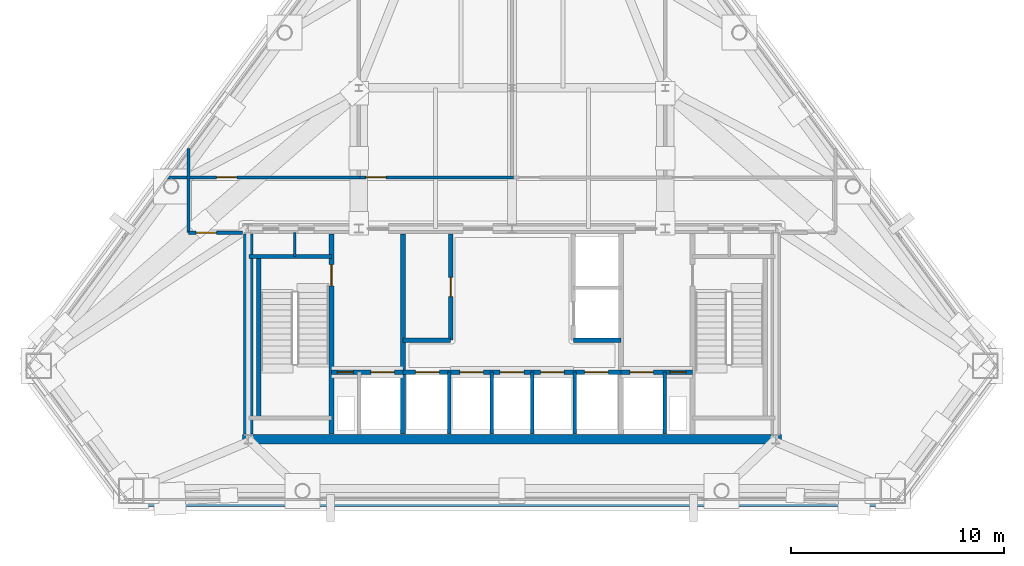
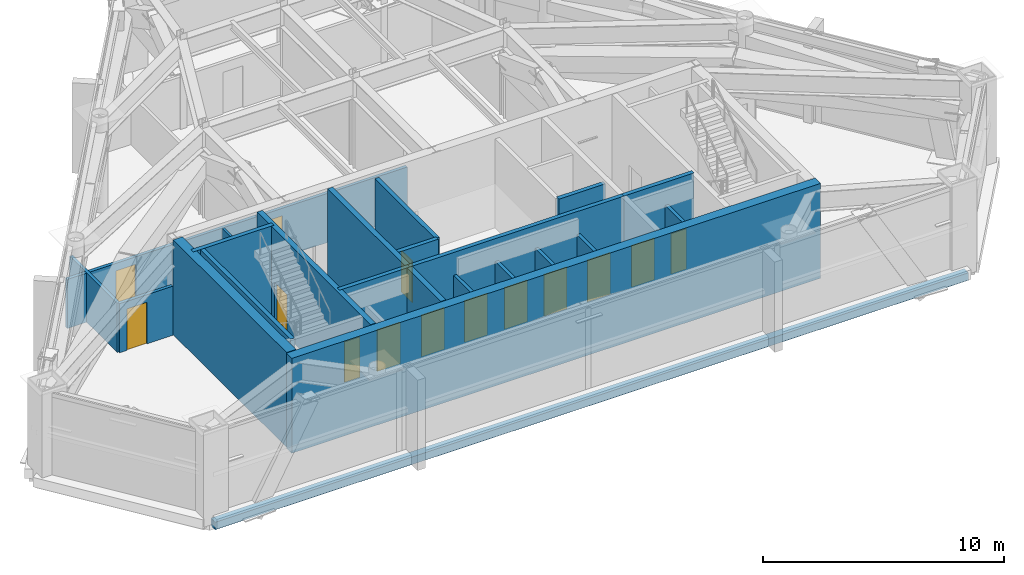
# One storey, part 6 of 10: 23 walls, 14 doors, 14 openings.
"""IFC4 building model written with IfcOpenShell, lengths in metres."""

from ifc_helpers import new_model, si_unit, direction, frame, frame_2d, origin, place, context, subcontext, project, spatial, rectangle, extrude, material, layer, layer_set, type_object, element, fill, save


model = new_model("IFC4")

# Units and contexts
model_context = context("Model", 3, precision=1e-05, world=origin(), true_north=direction((0.0, 1.0)))
body_context = subcontext(model_context, "Body", "Model", "MODEL_VIEW")
ifc_project = project(units=[si_unit("LENGTHUNIT", "METRE"), si_unit("AREAUNIT", "SQUARE_METRE"), si_unit("VOLUMEUNIT", "CUBIC_METRE"), si_unit("PLANEANGLEUNIT", "RADIAN"), si_unit("MASSUNIT", "GRAM", prefix="KILO")], contexts=[model_context])

# Site, building, storey
site_placement = place(None, origin())
site = spatial("IfcSite", under=ifc_project, at=site_placement, CompositionType="ELEMENT")
building_placement = place(site_placement, origin())
building = spatial("IfcBuilding", under=site, at=building_placement, Name="Talgorran Terracotta Tower", CompositionType="ELEMENT")
storey_placement = place(building_placement, frame((0.0, 0.0, 168.89990234375)))
storey = spatial("IfcBuildingStorey", under=building, at=storey_placement, Name="L44", CompositionType="ELEMENT", Elevation=168.89990234375)

# Walls
ifc_material_1 = material(Name="Concrete C50/60", Category="concrete")
ifc_layer_1 = layer(ifc_material_1, 0.199951171875, Name="WT_CORE_200")
ifc_layer_set_1 = layer_set([ifc_layer_1], Name="Concrete C50/60")
wall_type_1 = type_object("IfcWallType", Name="WT_CORE_200", PredefinedType="SOLIDWALL", material=ifc_layer_set_1)
wall_1_placement = place(storey_placement, frame((-12.35009765625, -5.52001953125, 0.0), z_axis=(0.0, 0.0, 1.0), x_axis=(1.0, 0.0, 0.0)))
element("IfcWall", 1, at=wall_1_placement, inside=storey, type_object=wall_type_1, Name="WL-L44-CW-ST1-N", PredefinedType="SOLIDWALL", context=body_context, shape_type="SweptSolid", body=[
    extrude(rectangle(XDim=3.8701171875, YDim=0.199951171875, at=frame_2d((1.93505859375, 0.0))), origin(), (0.0, 0.0, 1.0), 4.800048828125),
])
wall_2_placement = place(storey_placement, frame((-11.89990234375, -13.10009765625, 0.0), z_axis=(0.0, 0.0, 1.0), x_axis=(0.0, 1.0, 0.0)))
element("IfcWall", 2, at=wall_2_placement, inside=storey, type_object=wall_type_1, Name="WL-L44-CW-ST1-W", PredefinedType="SOLIDWALL", context=body_context, shape_type="SweptSolid", body=[
    extrude(rectangle(XDim=7.580078125, YDim=0.199951171875, at=frame_2d((3.7900390625, 0.0))), origin(), (0.0, 0.0, 1.0), 4.800048828125),
])

# Wall, openings, doors
wall_3_placement = place(storey_placement, frame((-8.47998046875, -10.949951171875, 0.0), z_axis=(0.0, 0.0, 1.0), x_axis=(1.0, 0.0, 0.0)))
wall_3 = element("IfcWall", 3, at=wall_3_placement, inside=storey, type_object=wall_type_1, Name="WL-L44-CW-H-SBW", PredefinedType="SOLIDWALL", context=body_context, shape_type="SweptSolid", body=[
    extrude(rectangle(XDim=3.35986328125, YDim=0.199951171875, at=frame_2d((1.679931640625, 0.0))), origin(), (0.0, 0.0, 1.0), 4.800048828125),
])
opening_1_placement = place(wall_3_placement, frame((0.280029296875, 0.0, 0.0)))
opening_1 = element("IfcOpeningElement", 4, at=opening_1_placement, cuts=wall_3, Name="Opening DR-RSW", PredefinedType="OPENING", context=body_context, shape_type="SweptSolid", body=[
    extrude(rectangle(XDim=0.756, YDim=2.054048828125, at=frame_2d((0.375, 1.027099609375))), frame((0.0, 0.10986328125, 0.0), z_axis=(0.0, -1.0, 0.0), x_axis=(1.0, 0.0, 0.0)), (0.0, 0.0, 1.0), 0.219970703125),
])
opening_2_placement = place(wall_3_placement, frame((1.85009765625, 0.0, 0.0)))
opening_2 = element("IfcOpeningElement", 5, at=opening_2_placement, cuts=wall_3, Name="Opening LD-FFL1", PredefinedType="OPENING", context=body_context, shape_type="SweptSolid", body=[
    extrude(rectangle(XDim=1.10609765625, YDim=2.10409765625, at=frame_2d((0.550048828125, 1.052001953125))), frame((0.0, 0.10986328125, 0.0), z_axis=(0.0, -1.0, 0.0), x_axis=(1.0, 0.0, 0.0)), (0.0, 0.0, 1.0), 0.219970703125),
])
ifc_material_2 = material(Name="Brushed Stainless Steel Grade 304", Category="steel")
door_type_1 = type_object("IfcDoorType", Name="DT_LIFT_LD1100", OperationType="DOUBLE_DOOR_SLIDING", PredefinedType="DOOR", material=ifc_material_2)
door_1_placement = place(opening_2_placement, origin())
door_1 = element("IfcDoor", 6, at=door_1_placement, inside=storey, type_object=door_type_1, Name="L44 Lift Landing Door LD-FFL1", OperationType="DOUBLE_DOOR_SLIDING", OverallHeight=2.10009765625, OverallWidth=1.10009765625, PredefinedType="DOOR", context=body_context, shape_type="SweptSolid", body=[
    extrude(rectangle(XDim=1.10009765625, YDim=2.10009765625, at=frame_2d((0.550048828125, 1.050048828125))), frame((0.0, 0.02490234375, 0.0), z_axis=(0.0, -1.0, 0.0), x_axis=(1.0, 0.0, 0.0)), (0.0, 0.0, 1.0), 0.050048828125),
])
fill(opening_2, door_1)
ifc_material_3 = material(Name="Fire-Rated Pressed Steel", Category="steel")
door_type_2 = type_object("IfcDoorType", Name="DT_RISER_750", OperationType="NOTDEFINED", PredefinedType="DOOR", material=ifc_material_3)
door_2_placement = place(opening_1_placement, origin())
door_2 = element("IfcDoor", 7, at=door_2_placement, inside=storey, type_object=door_type_2, Name="DR-RSW", OperationType="SINGLE_SWING_LEFT", OverallHeight=2.050048828125, OverallWidth=0.75, PredefinedType="DOOR", context=body_context, shape_type="SweptSolid", body=[
    extrude(rectangle(XDim=0.75, YDim=2.050048828125, at=frame_2d((0.375, 1.02490234375))), frame((0.0, 0.02490234375, 0.0), z_axis=(0.0, -1.0, 0.0), x_axis=(1.0, 0.0, 0.0)), (0.0, 0.0, 1.0), 0.050048828125),
])
fill(opening_1, door_2)

wall_4_placement = place(storey_placement, frame((-5.1201171875, -10.949951171875, 0.0), z_axis=(0.0, 0.0, 1.0), x_axis=(1.0, 0.0, 0.0)))
wall_4 = element("IfcWall", 8, at=wall_4_placement, inside=storey, type_object=wall_type_1, Name="WL-L44-CW-H-SBC", PredefinedType="SOLIDWALL", context=body_context, shape_type="SweptSolid", body=[
    extrude(rectangle(XDim=10.240234375, YDim=0.199951171875, at=frame_2d((5.1201171875, 0.0))), origin(), (0.0, 0.0, 1.0), 4.800048828125),
])
opening_3_placement = place(wall_4_placement, frame((0.60009765625, 0.0, 0.0)))
opening_3 = element("IfcOpeningElement", 9, at=opening_3_placement, cuts=wall_4, Name="Opening LD-OB1", PredefinedType="OPENING", context=body_context, shape_type="SweptSolid", body=[
    extrude(rectangle(XDim=1.10609765625, YDim=2.10409765625, at=frame_2d((0.550048828125, 1.052001953125))), frame((0.0, 0.10986328125, 0.0), z_axis=(0.0, -1.0, 0.0), x_axis=(1.0, 0.0, 0.0)), (0.0, 0.0, 1.0), 0.219970703125),
])
opening_4_placement = place(wall_4_placement, frame((2.669921875, 0.0, 0.0)))
opening_4 = element("IfcOpeningElement", 10, at=opening_4_placement, cuts=wall_4, Name="Opening LD-PLH1", PredefinedType="OPENING", context=body_context, shape_type="SweptSolid", body=[
    extrude(rectangle(XDim=1.10609765625, YDim=2.10409765625, at=frame_2d((0.550048828125, 1.052001953125))), frame((0.0, 0.10986328125, 0.0), z_axis=(0.0, -1.0, 0.0), x_axis=(1.0, 0.0, 0.0)), (0.0, 0.0, 1.0), 0.219970703125),
])
opening_5_placement = place(wall_4_placement, frame((4.570068359375, 0.0, 0.0)))
opening_5 = element("IfcOpeningElement", 11, at=opening_5_placement, cuts=wall_4, Name="Opening LD-PLH2", PredefinedType="OPENING", context=body_context, shape_type="SweptSolid", body=[
    extrude(rectangle(XDim=1.10609765625, YDim=2.10409765625, at=frame_2d((0.550048828125, 1.052001953125))), frame((0.0, 0.10986328125, 0.0), z_axis=(0.0, -1.0, 0.0), x_axis=(1.0, 0.0, 0.0)), (0.0, 0.0, 1.0), 0.219970703125),
])
opening_6_placement = place(wall_4_placement, frame((6.469970703125, 0.0, 0.0)))
opening_6 = element("IfcOpeningElement", 12, at=opening_6_placement, cuts=wall_4, Name="Opening LD-PLH3", PredefinedType="OPENING", context=body_context, shape_type="SweptSolid", body=[
    extrude(rectangle(XDim=1.10609765625, YDim=2.10409765625, at=frame_2d((0.550048828125, 1.052001953125))), frame((0.0, 0.10986328125, 0.0), z_axis=(0.0, -1.0, 0.0), x_axis=(1.0, 0.0, 0.0)), (0.0, 0.0, 1.0), 0.219970703125),
])
opening_7_placement = place(wall_4_placement, frame((8.5400390625, 0.0, 0.0)))
opening_7 = element("IfcOpeningElement", 13, at=opening_7_placement, cuts=wall_4, Name="Opening LD-SVL1", PredefinedType="OPENING", context=body_context, shape_type="SweptSolid", body=[
    extrude(rectangle(XDim=1.10609765625, YDim=2.10409765625, at=frame_2d((0.550048828125, 1.052001953125))), frame((0.0, 0.10986328125, 0.0), z_axis=(0.0, -1.0, 0.0), x_axis=(1.0, 0.0, 0.0)), (0.0, 0.0, 1.0), 0.219970703125),
])
door_3_placement = place(opening_3_placement, origin())
door_3 = element("IfcDoor", 14, at=door_3_placement, inside=storey, type_object=door_type_1, Name="L44 Lift Landing Door LD-OB1", OperationType="DOUBLE_DOOR_SLIDING", OverallHeight=2.10009765625, OverallWidth=1.10009765625, PredefinedType="DOOR", context=body_context, shape_type="SweptSolid", body=[
    extrude(rectangle(XDim=1.10009765625, YDim=2.10009765625, at=frame_2d((0.550048828125, 1.050048828125))), frame((0.0, 0.02490234375, 0.0), z_axis=(0.0, -1.0, 0.0), x_axis=(1.0, 0.0, 0.0)), (0.0, 0.0, 1.0), 0.050048828125),
])
fill(opening_3, door_3)
door_4_placement = place(opening_4_placement, origin())
door_4 = element("IfcDoor", 15, at=door_4_placement, inside=storey, type_object=door_type_1, Name="L44 Lift Landing Door LD-PLH1", OperationType="DOUBLE_DOOR_SLIDING", OverallHeight=2.10009765625, OverallWidth=1.10009765625, PredefinedType="DOOR", context=body_context, shape_type="SweptSolid", body=[
    extrude(rectangle(XDim=1.10009765625, YDim=2.10009765625, at=frame_2d((0.550048828125, 1.050048828125))), frame((0.0, 0.02490234375, 0.0), z_axis=(0.0, -1.0, 0.0), x_axis=(1.0, 0.0, 0.0)), (0.0, 0.0, 1.0), 0.050048828125),
])
fill(opening_4, door_4)
door_5_placement = place(opening_5_placement, origin())
door_5 = element("IfcDoor", 16, at=door_5_placement, inside=storey, type_object=door_type_1, Name="L44 Lift Landing Door LD-PLH2", OperationType="DOUBLE_DOOR_SLIDING", OverallHeight=2.10009765625, OverallWidth=1.10009765625, PredefinedType="DOOR", context=body_context, shape_type="SweptSolid", body=[
    extrude(rectangle(XDim=1.10009765625, YDim=2.10009765625, at=frame_2d((0.550048828125, 1.050048828125))), frame((0.0, 0.02490234375, 0.0), z_axis=(0.0, -1.0, 0.0), x_axis=(1.0, 0.0, 0.0)), (0.0, 0.0, 1.0), 0.050048828125),
])
fill(opening_5, door_5)
door_6_placement = place(opening_6_placement, origin())
door_6 = element("IfcDoor", 17, at=door_6_placement, inside=storey, type_object=door_type_1, Name="L44 Lift Landing Door LD-PLH3", OperationType="DOUBLE_DOOR_SLIDING", OverallHeight=2.10009765625, OverallWidth=1.10009765625, PredefinedType="DOOR", context=body_context, shape_type="SweptSolid", body=[
    extrude(rectangle(XDim=1.10009765625, YDim=2.10009765625, at=frame_2d((0.550048828125, 1.050048828125))), frame((0.0, 0.02490234375, 0.0), z_axis=(0.0, -1.0, 0.0), x_axis=(1.0, 0.0, 0.0)), (0.0, 0.0, 1.0), 0.050048828125),
])
fill(opening_6, door_6)
door_7_placement = place(opening_7_placement, origin())
door_7 = element("IfcDoor", 18, at=door_7_placement, inside=storey, type_object=door_type_1, Name="L44 Lift Landing Door LD-SVL1", OperationType="DOUBLE_DOOR_SLIDING", OverallHeight=2.10009765625, OverallWidth=1.10009765625, PredefinedType="DOOR", context=body_context, shape_type="SweptSolid", body=[
    extrude(rectangle(XDim=1.10009765625, YDim=2.10009765625, at=frame_2d((0.550048828125, 1.050048828125))), frame((0.0, 0.02490234375, 0.0), z_axis=(0.0, -1.0, 0.0), x_axis=(1.0, 0.0, 0.0)), (0.0, 0.0, 1.0), 0.050048828125),
])
fill(opening_7, door_7)

wall_5_placement = place(storey_placement, frame((5.1201171875, -10.949951171875, 0.0), z_axis=(0.0, 0.0, 1.0), x_axis=(1.0, 0.0, 0.0)))
wall_5 = element("IfcWall", 19, at=wall_5_placement, inside=storey, type_object=wall_type_1, Name="WL-L44-CW-H-SBE", PredefinedType="SOLIDWALL", context=body_context, shape_type="SweptSolid", body=[
    extrude(rectangle(XDim=3.35986328125, YDim=0.199951171875, at=frame_2d((1.679931640625, 0.0))), origin(), (0.0, 0.0, 1.0), 4.800048828125),
])
opening_8_placement = place(wall_5_placement, frame((0.419921875, 0.0, 0.0)))
opening_8 = element("IfcOpeningElement", 20, at=opening_8_placement, cuts=wall_5, Name="Opening LD-FFL2", PredefinedType="OPENING", context=body_context, shape_type="SweptSolid", body=[
    extrude(rectangle(XDim=1.10609765625, YDim=2.10409765625, at=frame_2d((0.550048828125, 1.052001953125))), frame((0.0, 0.10986328125, 0.0), z_axis=(0.0, -1.0, 0.0), x_axis=(1.0, 0.0, 0.0)), (0.0, 0.0, 1.0), 0.219970703125),
])
opening_9_placement = place(wall_5_placement, frame((2.300048828125, 0.0, 0.0)))
opening_9 = element("IfcOpeningElement", 21, at=opening_9_placement, cuts=wall_5, Name="Opening DR-RSE", PredefinedType="OPENING", context=body_context, shape_type="SweptSolid", body=[
    extrude(rectangle(XDim=0.756, YDim=2.054048828125, at=frame_2d((0.375, 1.027099609375))), frame((0.0, 0.10986328125, 0.0), z_axis=(0.0, -1.0, 0.0), x_axis=(1.0, 0.0, 0.0)), (0.0, 0.0, 1.0), 0.219970703125),
])
door_8_placement = place(opening_8_placement, origin())
door_8 = element("IfcDoor", 22, at=door_8_placement, inside=storey, type_object=door_type_1, Name="L44 Lift Landing Door LD-FFL2", OperationType="DOUBLE_DOOR_SLIDING", OverallHeight=2.10009765625, OverallWidth=1.10009765625, PredefinedType="DOOR", context=body_context, shape_type="SweptSolid", body=[
    extrude(rectangle(XDim=1.10009765625, YDim=2.10009765625, at=frame_2d((0.550048828125, 1.050048828125))), frame((0.0, 0.02490234375, 0.0), z_axis=(0.0, -1.0, 0.0), x_axis=(1.0, 0.0, 0.0)), (0.0, 0.0, 1.0), 0.050048828125),
])
fill(opening_8, door_8)
door_9_placement = place(opening_9_placement, origin())
door_9 = element("IfcDoor", 23, at=door_9_placement, inside=storey, type_object=door_type_2, Name="DR-RSE", OperationType="SINGLE_SWING_RIGHT", OverallHeight=2.050048828125, OverallWidth=0.75, PredefinedType="DOOR", context=body_context, shape_type="SweptSolid", body=[
    extrude(rectangle(XDim=0.75, YDim=2.050048828125, at=frame_2d((0.375, 1.02490234375))), frame((0.0, 0.02490234375, 0.0), z_axis=(0.0, -1.0, 0.0), x_axis=(1.0, 0.0, 0.0)), (0.0, 0.0, 1.0), 0.050048828125),
])
fill(opening_9, door_9)

# Wall, opening, door
wall_6_placement = place(storey_placement, frame((-2.8798828125, -9.449951171875, 0.0), z_axis=(0.0, 0.0, 1.0), x_axis=(0.0, 1.0, 0.0)))
wall_6 = element("IfcWall", 24, at=wall_6_placement, inside=storey, type_object=wall_type_1, Name="WL-L44-CW-V-W3", PredefinedType="SOLIDWALL", context=body_context, shape_type="SweptSolid", body=[
    extrude(rectangle(XDim=5.0, YDim=0.199951171875, at=frame_2d((2.5, 0.0))), origin(), (0.0, 0.0, 1.0), 4.52001953125),
])
opening_10_placement = place(wall_6_placement, frame((2.050048828125, 0.0, 0.0)))
opening_10 = element("IfcOpeningElement", 25, at=opening_10_placement, cuts=wall_6, Name="Opening DR-FRPLL-P", PredefinedType="OPENING", context=body_context, shape_type="SweptSolid", body=[
    extrude(rectangle(XDim=0.90590234375, YDim=2.10409765625, at=frame_2d((0.449951171875, 1.052001953125))), frame((0.0, 0.10986328125, 0.0), z_axis=(0.0, -1.0, 0.0), x_axis=(1.0, 0.0, 0.0)), (0.0, 0.0, 1.0), 0.219970703125),
])
ifc_material_4 = material(Name="Fire-Rated Timber Core", Category="wood")
door_type_3 = type_object("IfcDoorType", Name="DT_FIRE_900", OperationType="NOTDEFINED", PredefinedType="DOOR", material=ifc_material_4)
door_10_placement = place(opening_10_placement, origin())
door_10 = element("IfcDoor", 26, at=door_10_placement, inside=storey, type_object=door_type_3, Name="DR-FRPLL-P", OperationType="SINGLE_SWING_LEFT", OverallHeight=2.10009765625, OverallWidth=0.89990234375, PredefinedType="DOOR", context=body_context, shape_type="SweptSolid", body=[
    extrude(rectangle(XDim=0.89990234375, YDim=2.10009765625, at=frame_2d((0.449951171875, 1.050048828125))), frame((0.0, 0.02490234375, 0.0), z_axis=(0.0, -1.0, 0.0), x_axis=(1.0, 0.0, 0.0)), (0.0, 0.0, 1.0), 0.050048828125),
])
fill(opening_10, door_10)

# Walls
for number, where, z_axis, x_axis, name in (
    (27, (-5.1201171875, -9.449951171875, 0.0), (0.0, 0.0, 1.0), (1.0, 0.0, 0.0), "WL-L44-CW-H-W4"),
    (28, (2.8798828125, -9.449951171875, 0.0), (0.0, 0.0, 1.0), (1.0, 0.0, 0.0), "WL-L44-CW-H-E4"),
):
    element("IfcWall", number, at=place(storey_placement, frame(where, z_axis=z_axis, x_axis=x_axis)), inside=storey, type_object=wall_type_1, Name=name, PredefinedType="SOLIDWALL", context=body_context, shape_type="SweptSolid", body=[
        extrude(rectangle(XDim=2.240234375, YDim=0.199951171875, at=frame_2d((1.1201171875, 0.0))), origin(), (0.0, 0.0, 1.0), 4.52001953125),
    ])

# Wall, opening, door
ifc_layer_2 = layer(ifc_material_1, 0.25, Name="WT_CORE_250")
ifc_layer_set_2 = layer_set([ifc_layer_2], Name="Concrete C50/60")
wall_type_2 = type_object("IfcWallType", Name="WT_CORE_250", PredefinedType="SHEAR", material=ifc_layer_set_2)
wall_7_placement = place(storey_placement, frame((-8.47998046875, -13.85009765625, 0.0), z_axis=(0.0, 0.0, 1.0), x_axis=(0.0, 1.0, 0.0)))
wall_7 = element("IfcWall", 29, at=wall_7_placement, inside=storey, type_object=wall_type_2, Name="WL-L44-CW-V-W1", PredefinedType="SHEAR", context=body_context, shape_type="SweptSolid", body=[
    extrude(rectangle(XDim=9.400146484375, YDim=0.25, at=frame_2d((4.7001953125, 0.0))), origin(), (0.0, 0.0, 1.0), 4.800048828125),
])
opening_11_placement = place(wall_7_placement, frame((6.949951171875, 0.0, 0.0)))
opening_11 = element("IfcOpeningElement", 30, at=opening_11_placement, cuts=wall_7, Name="Opening DR-ST01", PredefinedType="OPENING", context=body_context, shape_type="SweptSolid", body=[
    extrude(rectangle(XDim=1.006, YDim=2.10409765625, at=frame_2d((0.5, 1.052001953125))), frame((0.0, 0.135009765625, 0.0), z_axis=(0.0, -1.0, 0.0), x_axis=(1.0, 0.0, 0.0)), (0.0, 0.0, 1.0), 0.27001953125),
])
door_type_4 = type_object("IfcDoorType", Name="DT_FIRE_1000", OperationType="NOTDEFINED", PredefinedType="DOOR", material=ifc_material_3)
door_11_placement = place(opening_11_placement, origin())
door_11 = element("IfcDoor", 31, at=door_11_placement, inside=storey, type_object=door_type_4, Name="DR-ST01", OperationType="SINGLE_SWING_LEFT", OverallHeight=2.10009765625, OverallWidth=1.0, PredefinedType="DOOR", context=body_context, shape_type="SweptSolid", body=[
    extrude(rectangle(XDim=1.0, YDim=2.10009765625, at=frame_2d((0.5, 1.050048828125))), frame((0.0, 0.02490234375, 0.0), z_axis=(0.0, -1.0, 0.0), x_axis=(1.0, 0.0, 0.0)), (0.0, 0.0, 1.0), 0.050048828125),
])
fill(opening_11, door_11)

# Walls
wall_8_placement = place(storey_placement, frame((-5.1201171875, -13.85009765625, 0.0), z_axis=(0.0, 0.0, 1.0), x_axis=(0.0, 1.0, 0.0)))
element("IfcWall", 32, at=wall_8_placement, inside=storey, type_object=wall_type_2, Name="WL-L44-CW-V-W2", PredefinedType="SHEAR", context=body_context, shape_type="SweptSolid", body=[
    extrude(rectangle(XDim=9.400146484375, YDim=0.25, at=frame_2d((4.7001953125, 0.0))), origin(), (0.0, 0.0, 1.0), 4.800048828125),
])
ifc_material_5 = material(Name="Concrete C65/80", Category="concrete")
ifc_layer_3 = layer(ifc_material_5, 0.449951171875, Name="WT_CORE_EXT")
ifc_layer_set_3 = layer_set([ifc_layer_3], Name="Concrete C65/80")
wall_type_3 = type_object("IfcWallType", Name="WT_CORE_EXT", PredefinedType="SHEAR", material=ifc_layer_set_3)
wall_9_placement = place(storey_placement, frame((-12.64990234375, -14.10009765625, 0.0), z_axis=(0.0, 0.0, 1.0), x_axis=(1.0, 0.0, 0.0)))
element("IfcWall", 33, at=wall_9_placement, inside=storey, type_object=wall_type_3, Name="WL-L44-CW-OUT-S", PredefinedType="SHEAR", context=body_context, shape_type="SweptSolid", body=[
    extrude(rectangle(XDim=25.2998046875, YDim=0.449951171875, at=frame_2d((12.64990234375, 0.0))), origin(), (0.0, 0.0, 1.0), 4.800048828125),
])
wall_10_placement = place(storey_placement, frame((-12.39990234375, -13.85009765625, 0.0), z_axis=(0.0, 0.0, 1.0), x_axis=(0.0, 1.0, 0.0)))
element("IfcWall", 34, at=wall_10_placement, inside=storey, type_object=wall_type_3, Name="WL-L44-CW-OUT-W", PredefinedType="SHEAR", context=body_context, shape_type="SweptSolid", body=[
    extrude(rectangle(XDim=9.400146484375, YDim=0.449951171875, at=frame_2d((4.7001953125, 0.0))), origin(), (0.0, 0.0, 1.0), 4.800048828125),
])

# Wall, opening, door
ifc_material_6 = material(Name="Fire-Rated Steel Stud Plasterboard", Category="steel")
ifc_layer_4 = layer(ifc_material_6, 0.14990234375, Name="WT_FIRE_150")
ifc_layer_set_4 = layer_set([ifc_layer_4], Name="Fire-Rated Steel Stud Plasterboard")
wall_type_4 = type_object("IfcWallType", Name="WT_FIRE_150", PredefinedType="PARTITIONING", material=ifc_layer_set_4)
wall_11_placement = place(storey_placement, frame((-16.197021484375, -1.800048828125, 0.0), z_axis=(0.0, 0.0, 1.0), x_axis=(1.0, 0.0, 0.0)))
wall_11 = element("IfcWall", 35, at=wall_11_placement, inside=storey, type_object=wall_type_4, Name="WL-L44-W-L44-R05", PredefinedType="PARTITIONING", context=body_context, shape_type="SweptSolid", body=[
    extrude(rectangle(XDim=9.05712890625, YDim=0.14990234375, at=frame_2d((4.528564453125, 0.0))), origin(), (0.0, 0.0, 1.0), 2.485107421875),
])
opening_12_placement = place(wall_11_placement, frame((2.315185546875, 0.0, 0.0)))
opening_12 = element("IfcOpeningElement", 36, at=opening_12_placement, cuts=wall_11, Name="Opening DR-L44-R03", PredefinedType="OPENING", context=body_context, shape_type="SweptSolid", body=[
    extrude(rectangle(XDim=0.955951171875, YDim=2.10409765625, at=frame_2d((0.47509765625, 1.052001953125))), frame((0.0, 0.0849609375, 0.0), z_axis=(0.0, -1.0, 0.0), x_axis=(1.0, 0.0, 0.0)), (0.0, 0.0, 1.0), 0.169921875),
])
door_type_5 = type_object("IfcDoorType", Name="DT_FIRE_950", OperationType="NOTDEFINED", PredefinedType="DOOR", material=ifc_material_4)
door_12_placement = place(opening_12_placement, origin())
door_12 = element("IfcDoor", 37, at=door_12_placement, inside=storey, type_object=door_type_5, Name="DR-L44-R03", OperationType="SINGLE_SWING_LEFT", OverallHeight=2.10009765625, OverallWidth=0.949951171875, PredefinedType="DOOR", context=body_context, shape_type="SweptSolid", body=[
    extrude(rectangle(XDim=0.949951171875, YDim=2.10009765625, at=frame_2d((0.47509765625, 1.050048828125))), frame((0.0, 0.02490234375, 0.0), z_axis=(0.0, -1.0, 0.0), x_axis=(1.0, 0.0, 0.0)), (0.0, 0.0, 1.0), 0.050048828125),
])
fill(opening_12, door_12)

wall_12_placement = place(storey_placement, frame((-7.137939453125, -1.800048828125, 0.0), z_axis=(0.0, 0.0, 1.0), x_axis=(1.0, 0.0, 0.0)))
wall_12 = element("IfcWall", 38, at=wall_12_placement, inside=storey, type_object=wall_type_4, Name="WL-L44-W-L44-R06", PredefinedType="PARTITIONING", context=body_context, shape_type="SweptSolid", body=[
    extrude(rectangle(XDim=7.197998046875, YDim=0.14990234375, at=frame_2d((3.59912109375, 0.0))), origin(), (0.0, 0.0, 1.0), 2.485107421875),
])
opening_13_placement = place(wall_12_placement, frame((0.276611328125, 0.0, 0.0)))
opening_13 = element("IfcOpeningElement", 39, at=opening_13_placement, cuts=wall_12, Name="Opening DR-L44-R04", PredefinedType="OPENING", context=body_context, shape_type="SweptSolid", body=[
    extrude(rectangle(XDim=0.955951171875, YDim=2.10409765625, at=frame_2d((0.47509765625, 1.052001953125))), frame((0.0, 0.0849609375, 0.0), z_axis=(0.0, -1.0, 0.0), x_axis=(1.0, 0.0, 0.0)), (0.0, 0.0, 1.0), 0.169921875),
])
door_13_placement = place(opening_13_placement, origin())
door_13 = element("IfcDoor", 40, at=door_13_placement, inside=storey, type_object=door_type_5, Name="DR-L44-R04", OperationType="SINGLE_SWING_RIGHT", OverallHeight=2.10009765625, OverallWidth=0.949951171875, PredefinedType="DOOR", context=body_context, shape_type="SweptSolid", body=[
    extrude(rectangle(XDim=0.949951171875, YDim=2.10009765625, at=frame_2d((0.47509765625, 1.050048828125))), frame((0.0, 0.02490234375, 0.0), z_axis=(0.0, -1.0, 0.0), x_axis=(1.0, 0.0, 0.0)), (0.0, 0.0, 1.0), 0.050048828125),
])
fill(opening_13, door_13)

# Wall
wall_13_placement = place(storey_placement, frame((-15.199951171875, -4.39990234375, 0.0), z_axis=(0.0, 0.0, 1.0), x_axis=(0.0, 1.0, 0.0)))
element("IfcWall", 41, at=wall_13_placement, inside=storey, type_object=wall_type_4, Name="WL-L44-W-L44-R01", PredefinedType="PARTITIONING", context=body_context, shape_type="SweptSolid", body=[
    extrude(rectangle(XDim=3.95068359375, YDim=0.14990234375, at=frame_2d((1.975341796875, 0.0))), origin(), (0.0, 0.0, 1.0), 2.485107421875),
])

# Wall, opening, door
wall_14_placement = place(storey_placement, frame((-15.199951171875, -4.39990234375, 0.0), z_axis=(0.0, 0.0, 1.0), x_axis=(1.0, 0.0, 0.0)))
wall_14 = element("IfcWall", 42, at=wall_14_placement, inside=storey, type_object=wall_type_4, Name="WL-L44-W-L44-R02", PredefinedType="PARTITIONING", context=body_context, shape_type="SweptSolid", body=[
    extrude(rectangle(XDim=2.5478515625, YDim=0.14990234375, at=frame_2d((1.27392578125, 0.0))), origin(), (0.0, 0.0, 1.0), 2.485107421875),
])
opening_14_placement = place(wall_14_placement, frame((0.358154296875, 0.0, 0.0)))
opening_14 = element("IfcOpeningElement", 43, at=opening_14_placement, cuts=wall_14, Name="Opening DR-L44-R01", PredefinedType="OPENING", context=body_context, shape_type="SweptSolid", body=[
    extrude(rectangle(XDim=0.955951171875, YDim=2.10409765625, at=frame_2d((0.47509765625, 1.052001953125))), frame((0.0, 0.0849609375, 0.0), z_axis=(0.0, -1.0, 0.0), x_axis=(1.0, 0.0, 0.0)), (0.0, 0.0, 1.0), 0.169921875),
])
door_14_placement = place(opening_14_placement, origin())
door_14 = element("IfcDoor", 44, at=door_14_placement, inside=storey, type_object=door_type_5, Name="DR-L44-R01", OperationType="SINGLE_SWING_LEFT", OverallHeight=2.10009765625, OverallWidth=0.949951171875, PredefinedType="DOOR", context=body_context, shape_type="SweptSolid", body=[
    extrude(rectangle(XDim=0.949951171875, YDim=2.10009765625, at=frame_2d((0.47509765625, 1.050048828125))), frame((0.0, 0.02490234375, 0.0), z_axis=(0.0, -1.0, 0.0), x_axis=(1.0, 0.0, 0.0)), (0.0, 0.0, 1.0), 0.050048828125),
])
fill(opening_14, door_14)

# Walls
ifc_material_7 = material(Name="Concrete C40/50", Category="concrete")
ifc_layer_5 = layer(ifc_material_7, 0.219970703125, Name="WT_PARAPET_RC")
ifc_layer_set_5 = layer_set([ifc_layer_5], Name="Concrete C40/50")
wall_type_5 = type_object("IfcWallType", Name="WT_PARAPET_RC", PredefinedType="PARAPET", material=ifc_layer_set_5)
wall_15_placement = place(storey_placement, frame((-18.020263671875, -17.090087890625, -0.199951171875), z_axis=(0.0, 0.0, 1.0), x_axis=(1.0, 0.0, 0.0)))
element("IfcWall", 45, at=wall_15_placement, inside=storey, type_object=wall_type_5, Name="L44 Striped Portal Precast Cornice F1", PredefinedType="PARAPET", context=body_context, shape_type="SweptSolid", body=[
    extrude(rectangle(XDim=36.04052734375, YDim=0.360107421875, at=frame_2d((18.020263671875, 0.0))), origin(), (0.0, 0.0, 1.0), 0.380126953125),
])
ifc_material_8 = material(Name="Insulated Steel Stud Plasterboard", Category="steel")
ifc_layer_6 = layer(ifc_material_8, 0.1201171875, Name="WT_PART_120")
ifc_layer_set_6 = layer_set([ifc_layer_6], Name="Insulated Steel Stud Plasterboard")
wall_type_6 = type_object("IfcWallType", Name="WT_PART_120", PredefinedType="PARTITIONING", material=ifc_layer_set_6)
wall_16_placement = place(storey_placement, frame((-10.199951171875, -5.52001953125, 0.0), z_axis=(0.0, 0.0, 1.0), x_axis=(0.0, 1.0, 0.0)))
element("IfcWall", 46, at=wall_16_placement, inside=storey, type_object=wall_type_6, Name="WL-L44-CW-CSW-DIV", PredefinedType="PARTITIONING", context=body_context, shape_type="SweptSolid", body=[
    extrude(rectangle(XDim=1.1201171875, YDim=0.1201171875, at=frame_2d((0.56005859375, 0.0))), origin(), (0.0, 0.0, 1.0), 4.52001953125),
])
ifc_material_9 = material(Name="Fire-Rated Shaftwall")
ifc_layer_7 = layer(ifc_material_9, 0.159912109375, Name="WT_PART_150")
ifc_layer_set_7 = layer_set([ifc_layer_7], Name="Fire-Rated Shaftwall")
wall_type_7 = type_object("IfcWallType", Name="WT_PART_150", PredefinedType="PARTITIONING", material=ifc_layer_set_7)
for number, where, z_axis, x_axis, name in (
    (47, (7.179931640625, -13.85009765625, 0.0), (0.0, 0.0, 1.0), (0.0, 1.0, 0.0), "WL-L44-CW-RSE"),
    (48, (-2.949951171875, -13.85009765625, 0.0), (0.0, 0.0, 1.0), (0.0, 1.0, 0.0), "WL-L44-CW-OB-E"),
    (49, (2.949951171875, -13.85009765625, 0.0), (0.0, 0.0, 1.0), (0.0, 1.0, 0.0), "WL-L44-CW-SV-W"),
    (50, (-0.949951171875, -13.85009765625, 0.0), (0.0, 0.0, 1.0), (0.0, 1.0, 0.0), "WL-L44-CW-PLH-D1"),
    (51, (0.949951171875, -13.85009765625, 0.0), (0.0, 0.0, 1.0), (0.0, 1.0, 0.0), "WL-L44-CW-PLH-D2"),
):
    element("IfcWall", number, at=place(storey_placement, frame(where, z_axis=z_axis, x_axis=x_axis)), inside=storey, type_object=wall_type_7, Name=name, PredefinedType="PARTITIONING", context=body_context, shape_type="SweptSolid", body=[
        extrude(rectangle(XDim=2.900146484375, YDim=0.159912109375, at=frame_2d((1.4501953125, 0.0))), origin(), (0.0, 0.0, 1.0), 3.64501953125),
    ])

save(model, "model.ifc")
